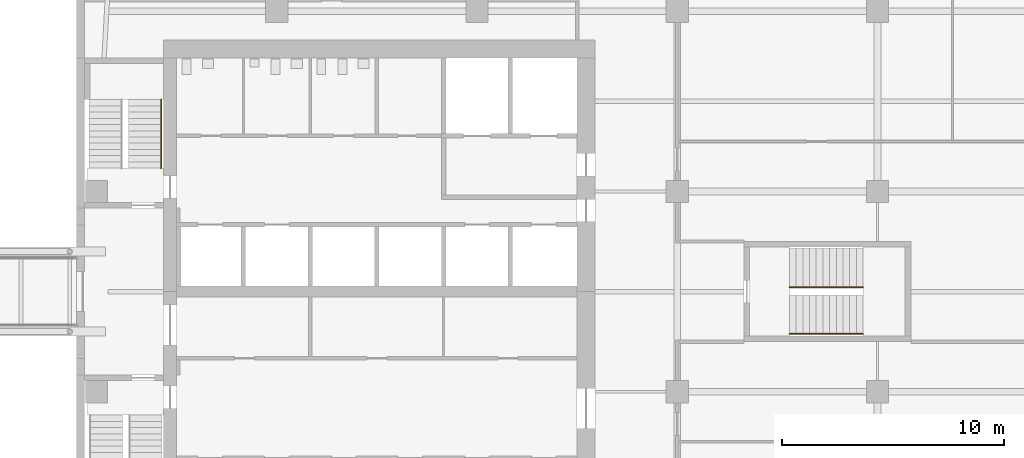
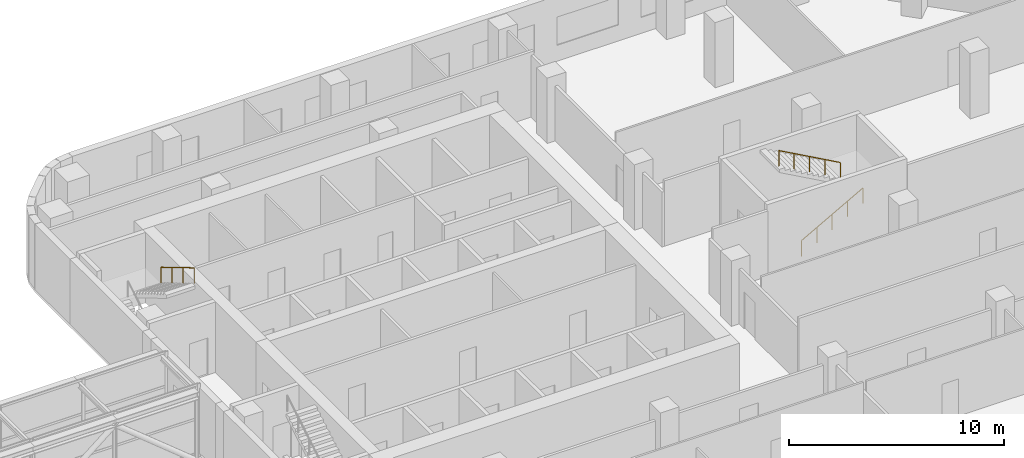
# One storey, part 20 of 21: 3 railings, 2 elements without a shape of their own.
"""IFC4 building model written with IfcOpenShell, lengths in metres."""

from ifc_helpers import new_model, si_unit, direction, frame, origin, origin_2d, place, context, subcontext, project, spatial, circle, extrude, material, type_object, element, aggregate, save


model = new_model("IFC4")

# Units and contexts
model_context = context("Model", 3, precision=1e-05, world=origin(), true_north=direction((0.0, 1.0)))
body_context = subcontext(model_context, "Body", "Model", "MODEL_VIEW")
ifc_project = project(units=[si_unit("LENGTHUNIT", "METRE"), si_unit("AREAUNIT", "SQUARE_METRE"), si_unit("VOLUMEUNIT", "CUBIC_METRE"), si_unit("PLANEANGLEUNIT", "RADIAN"), si_unit("MASSUNIT", "GRAM", prefix="KILO")], contexts=[model_context])

# Site, building, storey
site_placement = place(None, origin())
site = spatial("IfcSite", under=ifc_project, at=site_placement, CompositionType="ELEMENT")
building_placement = place(site_placement, origin())
building = spatial("IfcBuilding", under=site, at=building_placement, Name="Cinnabar Reach Civic Tower", CompositionType="ELEMENT")
storey_placement = place(building_placement, frame((0.0, 0.0, 140.0)))
storey = spatial("IfcBuildingStorey", under=building, at=storey_placement, Name="L33", CompositionType="ELEMENT", Elevation=140.0)

# Stair, railing
ifc_material_1 = material(Name="Concrete C40/50", Category="concrete")
stair_type = type_object("IfcStairType", Name="T1 Exit stair, half-turn", PredefinedType="HALF_TURN_STAIR", material=ifc_material_1)
stair_1_placement = place(storey_placement, origin())
stair_1 = element("IfcStair", 1, at=stair_1_placement, inside=storey, type_object=stair_type, Name="Stair T1-S2", PredefinedType="HALF_TURN_STAIR")
ifc_material_2 = material(Name="Stainless steel tube", Category="steel")
railing_type = type_object("IfcRailingType", Name="T1 Stair handrail, stainless tube 48", PredefinedType="HANDRAIL", material=ifc_material_2)
railing_1_placement = place(storey_placement, frame((3.8, 40.13, 2.1667)))
railing_1 = element("IfcRailing", 2, at=railing_1_placement, type_object=railing_type, Name="T1-S2 handrail 2", PredefinedType="HANDRAIL", context=body_context, shape_type="SweptSolid", body=[
    extrude(circle(Radius=0.024, at=origin_2d()), frame((0.0, 0.0, 0.876), z_axis=(0.0, -0.859296971757, 0.511476992962), x_axis=(1.0, 0.0, 0.0)), (0.0, 0.0, 1.0), 3.5843),
    extrude(circle(Radius=0.021, at=origin_2d()), origin(), (0.0, 0.0, 1.0), 0.852),
    extrude(circle(Radius=0.021, at=origin_2d()), frame((0.0, -1.0267, 0.6111)), (0.0, 0.0, 1.0), 0.852),
    extrude(circle(Radius=0.021, at=origin_2d()), frame((0.0, -2.0533, 1.2222)), (0.0, 0.0, 1.0), 0.852),
    extrude(circle(Radius=0.021, at=origin_2d()), frame((0.0, -3.08, 1.8333)), (0.0, 0.0, 1.0), 0.852),
])
aggregate(stair_1, [railing_1])

# Stair, railings
stair_2_placement = place(storey_placement, origin())
stair_2 = element("IfcStair", 3, at=stair_2_placement, inside=storey, type_object=stair_type, Name="Stair T1-S3", PredefinedType="HALF_TURN_STAIR")
railing_2_placement = place(storey_placement, frame((32.05, 29.6, 0.1667)))
railing_2 = element("IfcRailing", 4, at=railing_2_placement, type_object=railing_type, Name="T1-S3 handrail 1", PredefinedType="HANDRAIL", context=body_context, shape_type="SweptSolid", body=[
    extrude(circle(Radius=0.024, at=origin_2d()), frame((0.0, 0.0, 0.876), z_axis=(0.874161024642, 0.0, 0.485636183781), x_axis=(0.0, 1.0, 0.0)), (0.0, 0.0, 1.0), 3.775),
    extrude(circle(Radius=0.021, at=origin_2d()), origin(), (0.0, 0.0, 1.0), 0.852),
    extrude(circle(Radius=0.021, at=origin_2d()), frame((0.825, 0.0, 0.4583)), (0.0, 0.0, 1.0), 0.852),
    extrude(circle(Radius=0.021, at=origin_2d()), frame((1.65, 0.0, 0.9167)), (0.0, 0.0, 1.0), 0.852),
    extrude(circle(Radius=0.021, at=origin_2d()), frame((2.475, 0.0, 1.375)), (0.0, 0.0, 1.0), 0.852),
    extrude(circle(Radius=0.021, at=origin_2d()), frame((3.3, 0.0, 1.8333)), (0.0, 0.0, 1.0), 0.852),
])
railing_3_placement = place(storey_placement, frame((35.35, 31.7, 2.1667)))
railing_3 = element("IfcRailing", 5, at=railing_3_placement, type_object=railing_type, Name="T1-S3 handrail 2", PredefinedType="HANDRAIL", context=body_context, shape_type="SweptSolid", body=[
    extrude(circle(Radius=0.024, at=origin_2d()), frame((0.0, 0.0, 0.876), z_axis=(-0.874161024642, 0.0, 0.485636183781), x_axis=(0.0, -1.0, 0.0)), (0.0, 0.0, 1.0), 3.775),
    extrude(circle(Radius=0.021, at=origin_2d()), origin(), (0.0, 0.0, 1.0), 0.852),
    extrude(circle(Radius=0.021, at=origin_2d()), frame((-0.825, 0.0, 0.4583)), (0.0, 0.0, 1.0), 0.852),
    extrude(circle(Radius=0.021, at=origin_2d()), frame((-1.65, 0.0, 0.9167)), (0.0, 0.0, 1.0), 0.852),
    extrude(circle(Radius=0.021, at=origin_2d()), frame((-2.475, 0.0, 1.375)), (0.0, 0.0, 1.0), 0.852),
    extrude(circle(Radius=0.021, at=origin_2d()), frame((-3.3, 0.0, 1.8333)), (0.0, 0.0, 1.0), 0.852),
])
aggregate(stair_2, [railing_2, railing_3])

save(model, "model.ifc")
